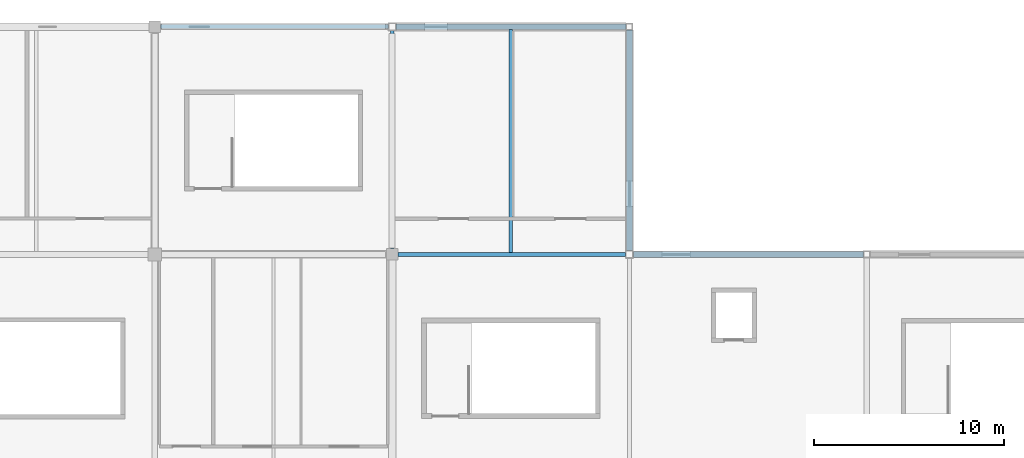
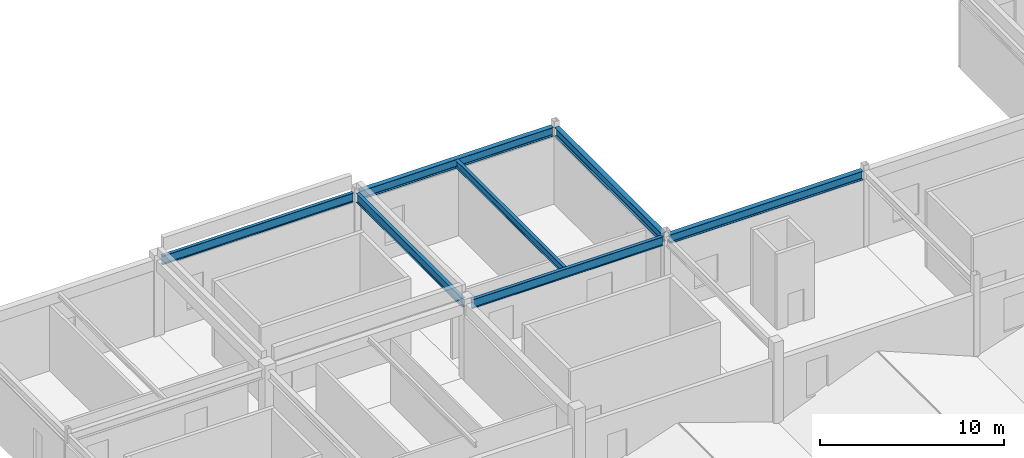
# One storey, part 44 of 76: 7 beams.
"""IFC4 building model written with IfcOpenShell, lengths in metres."""

from ifc_helpers import new_model, si_unit, direction, frame, origin, origin_2d, place, context, subcontext, project, spatial, i_section, extrude, material, material_profile, profile_set, type_object, element, save


model = new_model("IFC4")

# Units and contexts
model_context = context("Model", 3, precision=1e-05, world=origin(), true_north=direction((0.0, 1.0)))
body_context = subcontext(model_context, "Body", "Model", "MODEL_VIEW")
ifc_project = project(units=[si_unit("LENGTHUNIT", "METRE"), si_unit("AREAUNIT", "SQUARE_METRE"), si_unit("VOLUMEUNIT", "CUBIC_METRE"), si_unit("PLANEANGLEUNIT", "RADIAN"), si_unit("MASSUNIT", "GRAM", prefix="KILO")], contexts=[model_context])

# Site, building, storey
site_placement = place(None, origin())
site = spatial("IfcSite", under=ifc_project, at=site_placement, CompositionType="ELEMENT")
building_placement = place(site_placement, origin())
building = spatial("IfcBuilding", under=site, at=building_placement, Name="Kazenohara Klinker Stadium", CompositionType="ELEMENT")
storey_placement = place(building_placement, frame((0.0, 0.0, 25.800048828125)))
storey = spatial("IfcBuildingStorey", under=building, at=storey_placement, Name="L05", CompositionType="ELEMENT", Elevation=25.800048828125)

# Beams
ifc_material = material(Name="Steel S355", Category="steel")
ifc_material_profile_1 = material_profile(ifc_material, i_section(OverallWidth=0.199951171875, OverallDepth=0.5, WebThickness=0.010009765625, FlangeThickness=0.01611328125, FilletRadius=0.012939453125, at=origin_2d()), Name="H-500x200x10x16")
ifc_profile_set_1 = profile_set([ifc_material_profile_1], Name="Steel S355")
beam_type_1 = type_object("IfcBeamType", Name="BM-JST01", PredefinedType="JOIST", material=ifc_profile_set_1)
beam_1_placement = place(storey_placement, frame((80.25, 156.10009765625, 4.7900390625), z_axis=(0.0, 1.0, 0.0), x_axis=(-1.0, 0.0, 0.0)))
element("IfcBeam", 1, at=beam_1_placement, inside=storey, type_object=beam_type_1, Name="Secondary floor joist SJ01 L05 7/P", PredefinedType="JOIST", context=body_context, shape_type="SweptSolid", body=[
    extrude(i_section(OverallWidth=0.199951171875, OverallDepth=0.5, WebThickness=0.010009765625, FlangeThickness=0.01611328125, FilletRadius=0.012939453125, at=origin_2d()), origin(), (0.0, 0.0, 1.0), 11.75),
])
ifc_material_profile_2 = material_profile(ifc_material, i_section(OverallWidth=0.199951171875, OverallDepth=0.60009765625, WebThickness=0.010986328125, FlangeThickness=0.01708984375, FilletRadius=0.012939453125, at=origin_2d()), Name="H-600x200x11x17")
ifc_profile_set_2 = profile_set([ifc_material_profile_2], Name="Steel S355")
beam_type_2 = type_object("IfcBeamType", Name="BM-ST04", PredefinedType="BEAM", material=ifc_profile_set_2)
for number, where, z_axis, x_axis, name in (
    (2, (61.800048828125, 168.0, 4.739990234375), (1.0, 0.0, 0.0), (0.0, 1.0, 0.0), "Primary girder SB04 L05 6-7/Q"),
    (3, (74.300048828125, 156.0, 4.739990234375), (1.0, 0.0, 0.0), (0.0, 1.0, 0.0), "Primary girder SB04 L05 7-8/P"),
):
    element("IfcBeam", number, at=place(storey_placement, frame(where, z_axis=z_axis, x_axis=x_axis)), inside=storey, type_object=beam_type_2, Name=name, PredefinedType="BEAM", context=body_context, shape_type="SweptSolid", body=[
        extrude(i_section(OverallWidth=0.199951171875, OverallDepth=0.60009765625, WebThickness=0.010986328125, FlangeThickness=0.01708984375, FilletRadius=0.012939453125, at=origin_2d()), origin(), (0.0, 0.0, 1.0), 12.0),
    ])
beam_2_placement = place(storey_placement, frame((74.0, 156.300048828125, 4.739990234375), z_axis=(0.0, 1.0, 0.0), x_axis=(-1.0, 0.0, 0.0)))
element("IfcBeam", 4, at=beam_2_placement, inside=storey, type_object=beam_type_2, Name="Primary girder SB04 L05 7/P-Q", PredefinedType="BEAM", context=body_context, shape_type="SweptSolid", body=[
    extrude(i_section(OverallWidth=0.199951171875, OverallDepth=0.60009765625, WebThickness=0.010986328125, FlangeThickness=0.01708984375, FilletRadius=0.012939453125, at=origin_2d()), origin(), (0.0, 0.0, 1.0), 11.5),
])
ifc_material_profile_3 = material_profile(ifc_material, i_section(OverallWidth=0.300048828125, OverallDepth=0.587890625, WebThickness=0.011962890625, FlangeThickness=0.02001953125, FilletRadius=0.02197265625, at=origin_2d()), Name="H-588x300x12x20")
ifc_profile_set_3 = profile_set([ifc_material_profile_3], Name="Steel S355")
beam_type_3 = type_object("IfcBeamType", Name="BM-ST05", PredefinedType="BEAM", material=ifc_profile_set_3)
for number, where, z_axis, x_axis, name in (
    (5, (74.199951171875, 168.0, 4.745849609375), (1.0, 0.0, 0.0), (0.0, 1.0, 0.0), "Primary girder SB05 L05 7-8/Q"),
    (6, (86.699951171875, 156.0, 4.745849609375), (1.0, 0.0, 0.0), (0.0, 1.0, 0.0), "Primary girder SB05 L05 8-9/P"),
):
    element("IfcBeam", number, at=place(storey_placement, frame(where, z_axis=z_axis, x_axis=x_axis)), inside=storey, type_object=beam_type_3, Name=name, PredefinedType="BEAM", context=body_context, shape_type="SweptSolid", body=[
        extrude(i_section(OverallWidth=0.300048828125, OverallDepth=0.587890625, WebThickness=0.011962890625, FlangeThickness=0.02001953125, FilletRadius=0.02197265625, at=origin_2d()), origin(), (0.0, 0.0, 1.0), 12.125),
    ])
beam_3_placement = place(storey_placement, frame((86.5, 156.199951171875, 4.745849609375), z_axis=(0.0, 1.0, 0.0), x_axis=(-1.0, 0.0, 0.0)))
element("IfcBeam", 7, at=beam_3_placement, inside=storey, type_object=beam_type_3, Name="Primary girder SB05 L05 8/P-Q", PredefinedType="BEAM", context=body_context, shape_type="SweptSolid", body=[
    extrude(i_section(OverallWidth=0.300048828125, OverallDepth=0.587890625, WebThickness=0.011962890625, FlangeThickness=0.02001953125, FilletRadius=0.02197265625, at=origin_2d()), origin(), (0.0, 0.0, 1.0), 11.625),
])

save(model, "model.ifc")
